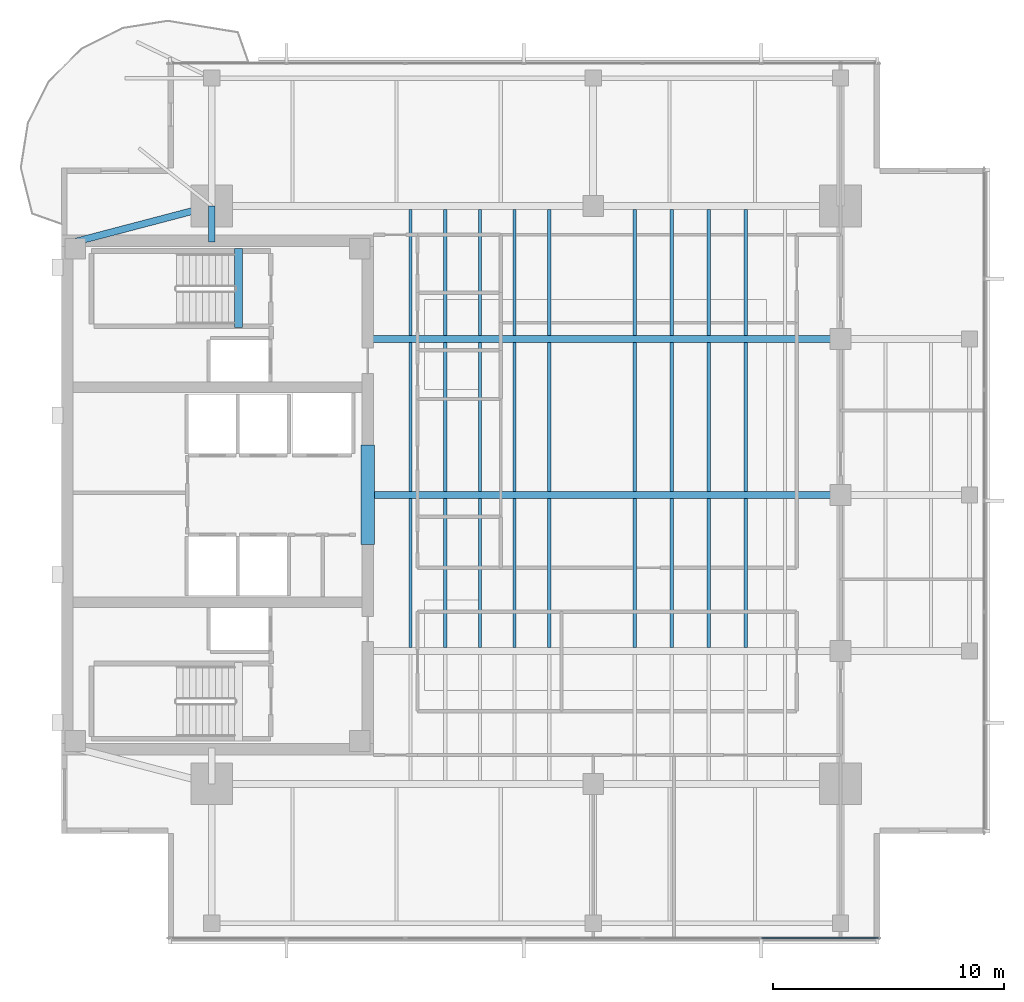
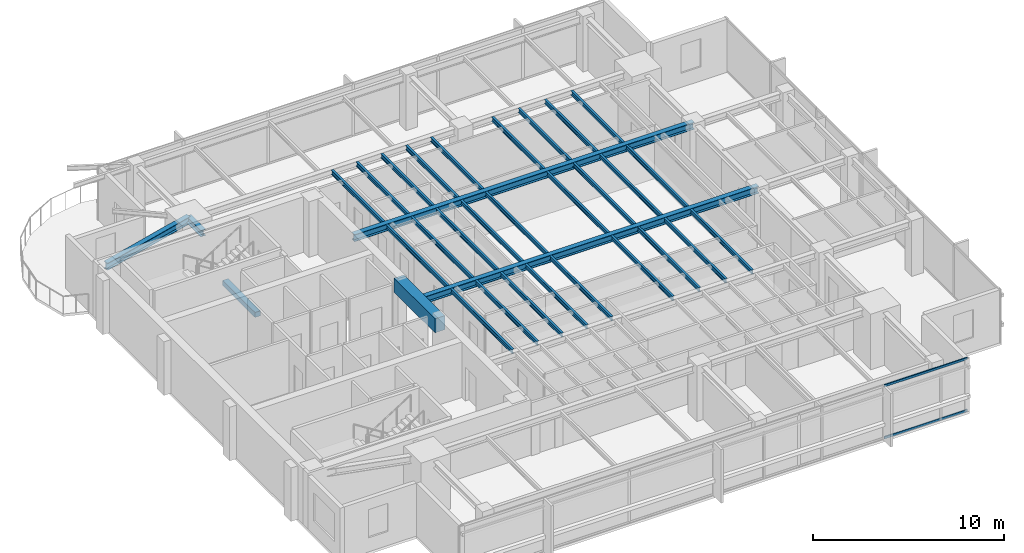
# One storey, part 3 of 14: 33 beams, 2 members, 1 element without a shape of its own.
"""IFC4 building model written with IfcOpenShell, lengths in metres."""

from ifc_helpers import new_model, si_unit, direction, frame, origin, origin_2d, place, context, subcontext, project, spatial, rectangle, i_section, extrude, material, layer, layer_set, material_profile, profile_set, type_object, element, aggregate, save


model = new_model("IFC4")

# Units and contexts
model_context = context("Model", 3, precision=1e-05, world=origin(), true_north=direction((0.0, 1.0)))
body_context = subcontext(model_context, "Body", "Model", "MODEL_VIEW")
ifc_project = project(units=[si_unit("LENGTHUNIT", "METRE"), si_unit("AREAUNIT", "SQUARE_METRE"), si_unit("VOLUMEUNIT", "CUBIC_METRE"), si_unit("PLANEANGLEUNIT", "RADIAN"), si_unit("MASSUNIT", "GRAM", prefix="KILO")], contexts=[model_context])

# Site, building, storey
site_placement = place(None, origin())
site = spatial("IfcSite", under=ifc_project, at=site_placement, CompositionType="ELEMENT")
building_placement = place(site_placement, origin())
building = spatial("IfcBuilding", under=site, at=building_placement, Name="Kinhvarn Gate Tower", CompositionType="ELEMENT")
storey_placement = place(building_placement, frame((0.0, 0.0, 270.550048828125)))
storey = spatial("IfcBuildingStorey", under=building, at=storey_placement, Name="L72", CompositionType="ELEMENT", Elevation=270.550048828125)

# Beams
ifc_material_1 = material(Name="Concrete C60/75", Category="concrete")
ifc_material_profile_1 = material_profile(ifc_material_1, rectangle(XDim=0.60009765625, YDim=0.89990234375, at=origin_2d()), Name="RC 600x900")
ifc_profile_set_1 = profile_set([ifc_material_profile_1], Name="Concrete C60/75")
beam_type_1 = type_object("IfcBeamType", Name="BM-CB-900", PredefinedType="LINTEL", material=ifc_profile_set_1)
beam_1_placement = place(storey_placement, frame((17.75, 23.10009765625, 2.93994140625), z_axis=(0.0, 1.0, 0.0), x_axis=(-1.0, 0.0, 0.0)))
element("IfcBeam", 1, at=beam_1_placement, inside=storey, type_object=beam_type_1, Name="Core East Portal Coupling Beam L72", PredefinedType="LINTEL", context=body_context, shape_type="SweptSolid", body=[
    extrude(rectangle(XDim=0.60009765625, YDim=0.89990234375, at=origin_2d()), origin(), (0.0, 0.0, 1.0), 4.2998046875),
])
ifc_material_2 = material(Name="Concrete C50/60", Category="concrete")
ifc_material_profile_2 = material_profile(ifc_material_2, rectangle(XDim=0.340087890625, YDim=0.320068359375, at=origin_2d()), Name="RC 340x320")
ifc_profile_set_2 = profile_set([ifc_material_profile_2], Name="Concrete C50/60")
beam_type_2 = type_object("IfcBeamType", Name="BM-LND-500", PredefinedType="BEAM", material=ifc_profile_set_2)
beam_2_placement = place(storey_placement, frame((12.1650390625, 32.5, -0.16015625), z_axis=(0.0, 1.0, 0.0), x_axis=(-1.0, 0.0, 0.0)))
element("IfcBeam", 2, at=beam_2_placement, inside=storey, type_object=beam_type_2, Name="Stair ST2 Landing Nosing Beam (L72)", PredefinedType="BEAM", context=body_context, shape_type="SweptSolid", body=[
    extrude(rectangle(XDim=0.340087890625, YDim=0.320068359375, at=origin_2d()), origin(), (0.0, 0.0, 1.0), 3.39990234375),
])

# Curtain wall, members
ifc_material_3 = material(Name="Anodised aluminium AW-6063", Category="aluminium")
ifc_layer = layer(ifc_material_3, 0.179931640625)
ifc_layer_set = layer_set([ifc_layer], Name="Anodised aluminium AW-6063")
curtain_wall_type = type_object("IfcCurtainWallType", Name="CW-SYS-3", PredefinedType="NOTDEFINED", material=ifc_layer_set)
curtain_wall_placement = place(storey_placement, origin())
curtain_wall = element("IfcCurtainWall", 3, at=curtain_wall_placement, inside=storey, type_object=curtain_wall_type, Name="Curtain Wall CW3 (L72)", PredefinedType="NOTDEFINED")
ifc_material_profile_3 = material_profile(ifc_material_3, rectangle(XDim=0.070068359375, YDim=0.139892578125, at=origin_2d()), Name="ALU 70x140")
ifc_profile_set_3 = profile_set([ifc_material_profile_3], Name="Anodised aluminium AW-6063")
member_type = type_object("IfcMemberType", Name="CW-TRN-140", PredefinedType="USERDEFINED", material=ifc_profile_set_3)
member_1_placement = place(storey_placement, frame((34.799072265625, 6.090087890625, 0.034912109375), z_axis=(1.0, 0.0, 0.0), x_axis=(0.0, 1.0, 0.0)))
member_1 = element("IfcMember", 4, at=member_1_placement, type_object=member_type, Name="CW3 transom 6.1", ObjectType="TRANSOM", PredefinedType="USERDEFINED", context=body_context, shape_type="SweptSolid", body=[
    extrude(rectangle(XDim=0.070068359375, YDim=0.139892578125, at=origin_2d()), origin(), (0.0, 0.0, 1.0), 5.035888671875),
])
member_2_placement = place(storey_placement, frame((34.799072265625, 6.090087890625, 3.35498046875), z_axis=(1.0, 0.0, 0.0), x_axis=(0.0, 1.0, 0.0)))
member_2 = element("IfcMember", 5, at=member_2_placement, type_object=member_type, Name="CW3 transom 6.2", ObjectType="TRANSOM", PredefinedType="USERDEFINED", context=body_context, shape_type="SweptSolid", body=[
    extrude(rectangle(XDim=0.070068359375, YDim=0.139892578125, at=origin_2d()), origin(), (0.0, 0.0, 1.0), 5.035888671875),
])
aggregate(curtain_wall, [member_1, member_2])

# Beams
ifc_material_4 = material(Name="Steel S355", Category="steel")
ifc_material_profile_4 = material_profile(ifc_material_4, i_section(OverallWidth=0.300048828125, OverallDepth=0.39990234375, WebThickness=0.013427734375, FlangeThickness=0.02392578125, at=origin_2d()), Name="HEB 400")
ifc_profile_set_4 = profile_set([ifc_material_profile_4], Name="Steel S355")
beam_type_3 = type_object("IfcBeamType", Name="STL-HEB400", PredefinedType="BEAM", material=ifc_profile_set_4)
beam_3_placement = place(storey_placement, frame((11.0, 36.199951171875, 3.18994140625), z_axis=(0.0, 1.0, 0.0), x_axis=(-1.0, 0.0, 0.0)))
element("IfcBeam", 6, at=beam_3_placement, inside=storey, type_object=beam_type_3, Name="Floor Beam PG-12 (L72 MCW-CN)", PredefinedType="BEAM", context=body_context, shape_type="SweptSolid", body=[
    extrude(i_section(OverallWidth=0.300048828125, OverallDepth=0.39990234375, WebThickness=0.013427734375, FlangeThickness=0.02392578125, at=origin_2d()), origin(), (0.0, 0.0, 1.0), 1.550048828125),
])
ifc_material_profile_5 = material_profile(ifc_material_4, i_section(OverallWidth=0.300048828125, OverallDepth=0.449951171875, WebThickness=0.013916015625, FlangeThickness=0.02587890625, at=origin_2d()), Name="HEB 450")
ifc_profile_set_5 = profile_set([ifc_material_profile_5], Name="Steel S355")
beam_type_4 = type_object("IfcBeamType", Name="STL-HEB450", PredefinedType="BEAM", material=ifc_profile_set_5)
beam_4_placement = place(storey_placement, frame((5.10009765625, 36.199951171875, 3.1650390625), z_axis=(0.967177623957, 0.254101246979, 0.0), x_axis=(-0.254101246979, 0.967177623957, 0.0)))
element("IfcBeam", 7, at=beam_4_placement, inside=storey, type_object=beam_type_4, Name="Floor Beam PG-13 (L72 MG-NW-DIAG)", PredefinedType="BEAM", context=body_context, shape_type="SweptSolid", body=[
    extrude(i_section(OverallWidth=0.300048828125, OverallDepth=0.449951171875, WebThickness=0.013916015625, FlangeThickness=0.02587890625, at=origin_2d()), origin(), (0.0, 0.0, 1.0), 6.10009765625),
])
beam_5_placement = place(storey_placement, frame((18.050048828125, 25.25, 3.1650390625), z_axis=(1.0, 0.0, 0.0), x_axis=(0.0, 1.0, 0.0)))
element("IfcBeam", 8, at=beam_5_placement, inside=storey, type_object=beam_type_4, Name="Floor Beam PG-13 (L72 EW1-Y25)", PredefinedType="BEAM", context=body_context, shape_type="SweptSolid", body=[
    extrude(i_section(OverallWidth=0.300048828125, OverallDepth=0.449951171875, WebThickness=0.013916015625, FlangeThickness=0.02587890625, at=origin_2d()), origin(), (0.0, 0.0, 1.0), 20.14990234375),
])
beam_6_placement = place(storey_placement, frame((17.64990234375, 32.0, 3.1650390625), z_axis=(1.0, 0.0, 0.0), x_axis=(0.0, 1.0, 0.0)))
element("IfcBeam", 9, at=beam_6_placement, inside=storey, type_object=beam_type_4, Name="Floor Beam PG-13 (L72 EW1-Y32)", PredefinedType="BEAM", context=body_context, shape_type="SweptSolid", body=[
    extrude(i_section(OverallWidth=0.300048828125, OverallDepth=0.449951171875, WebThickness=0.013916015625, FlangeThickness=0.02587890625, at=origin_2d()), origin(), (0.0, 0.0, 1.0), 20.550048828125),
])
ifc_material_profile_6 = material_profile(ifc_material_4, i_section(OverallWidth=0.135009765625, OverallDepth=0.27001953125, WebThickness=0.006591796875, FlangeThickness=0.01025390625, at=origin_2d()), Name="IPE 270")
ifc_profile_set_6 = profile_set([ifc_material_profile_6], Name="Steel S355")
beam_type_5 = type_object("IfcBeamType", Name="STL-IPE270", PredefinedType="JOIST", material=ifc_profile_set_6)
for number, where, z_axis, x_axis, name in (
    (10, (19.60009765625, 18.64990234375, 3.2548828125), (0.0, 1.0, 0.0), (-1.0, 0.0, 0.0), "Floor Joist SB-01 (L72 JC-X196-1)"),
    (11, (19.60009765625, 25.39990234375, 3.2548828125), (0.0, 1.0, 0.0), (-1.0, 0.0, 0.0), "Floor Joist SB-01 (L72 JC-X196-2)"),
):
    element("IfcBeam", number, at=place(storey_placement, frame(where, z_axis=z_axis, x_axis=x_axis)), inside=storey, type_object=beam_type_5, Name=name, PredefinedType="JOIST", context=body_context, shape_type="SweptSolid", body=[
        extrude(i_section(OverallWidth=0.135009765625, OverallDepth=0.27001953125, WebThickness=0.006591796875, FlangeThickness=0.01025390625, at=origin_2d()), origin(), (0.0, 0.0, 1.0), 6.4501953125),
    ])
beam_7_placement = place(storey_placement, frame((19.60009765625, 32.14990234375, 3.2548828125), z_axis=(0.0, 1.0, 0.0), x_axis=(-1.0, 0.0, 0.0)))
element("IfcBeam", 12, at=beam_7_placement, inside=storey, type_object=beam_type_5, Name="Floor Joist SB-01 (L72 JC-X196-3)", PredefinedType="JOIST", context=body_context, shape_type="SweptSolid", body=[
    extrude(i_section(OverallWidth=0.135009765625, OverallDepth=0.27001953125, WebThickness=0.006591796875, FlangeThickness=0.01025390625, at=origin_2d()), origin(), (0.0, 0.0, 1.0), 5.4501953125),
])
for number, where, z_axis, x_axis, name in (
    (13, (21.10009765625, 18.64990234375, 3.2548828125), (0.0, 1.0, 0.0), (-1.0, 0.0, 0.0), "Floor Joist SB-01 (L72 JC-X211-1)"),
    (14, (21.10009765625, 25.39990234375, 3.2548828125), (0.0, 1.0, 0.0), (-1.0, 0.0, 0.0), "Floor Joist SB-01 (L72 JC-X211-2)"),
):
    element("IfcBeam", number, at=place(storey_placement, frame(where, z_axis=z_axis, x_axis=x_axis)), inside=storey, type_object=beam_type_5, Name=name, PredefinedType="JOIST", context=body_context, shape_type="SweptSolid", body=[
        extrude(i_section(OverallWidth=0.135009765625, OverallDepth=0.27001953125, WebThickness=0.006591796875, FlangeThickness=0.01025390625, at=origin_2d()), origin(), (0.0, 0.0, 1.0), 6.4501953125),
    ])
beam_8_placement = place(storey_placement, frame((21.10009765625, 32.14990234375, 3.2548828125), z_axis=(0.0, 1.0, 0.0), x_axis=(-1.0, 0.0, 0.0)))
element("IfcBeam", 15, at=beam_8_placement, inside=storey, type_object=beam_type_5, Name="Floor Joist SB-01 (L72 JC-X211-3)", PredefinedType="JOIST", context=body_context, shape_type="SweptSolid", body=[
    extrude(i_section(OverallWidth=0.135009765625, OverallDepth=0.27001953125, WebThickness=0.006591796875, FlangeThickness=0.01025390625, at=origin_2d()), origin(), (0.0, 0.0, 1.0), 5.4501953125),
])
for number, where, z_axis, x_axis, name in (
    (16, (22.60009765625, 18.64990234375, 3.2548828125), (0.0, 1.0, 0.0), (-1.0, 0.0, 0.0), "Floor Joist SB-01 (L72 JC-X226-1)"),
    (17, (22.60009765625, 25.39990234375, 3.2548828125), (0.0, 1.0, 0.0), (-1.0, 0.0, 0.0), "Floor Joist SB-01 (L72 JC-X226-2)"),
):
    element("IfcBeam", number, at=place(storey_placement, frame(where, z_axis=z_axis, x_axis=x_axis)), inside=storey, type_object=beam_type_5, Name=name, PredefinedType="JOIST", context=body_context, shape_type="SweptSolid", body=[
        extrude(i_section(OverallWidth=0.135009765625, OverallDepth=0.27001953125, WebThickness=0.006591796875, FlangeThickness=0.01025390625, at=origin_2d()), origin(), (0.0, 0.0, 1.0), 6.4501953125),
    ])
beam_9_placement = place(storey_placement, frame((22.60009765625, 32.14990234375, 3.2548828125), z_axis=(0.0, 1.0, 0.0), x_axis=(-1.0, 0.0, 0.0)))
element("IfcBeam", 18, at=beam_9_placement, inside=storey, type_object=beam_type_5, Name="Floor Joist SB-01 (L72 JC-X226-3)", PredefinedType="JOIST", context=body_context, shape_type="SweptSolid", body=[
    extrude(i_section(OverallWidth=0.135009765625, OverallDepth=0.27001953125, WebThickness=0.006591796875, FlangeThickness=0.01025390625, at=origin_2d()), origin(), (0.0, 0.0, 1.0), 5.4501953125),
])
for number, where, z_axis, x_axis, name in (
    (19, (24.10009765625, 18.64990234375, 3.2548828125), (0.0, 1.0, 0.0), (-1.0, 0.0, 0.0), "Floor Joist SB-01 (L72 JC-X241-1)"),
    (20, (24.10009765625, 25.39990234375, 3.2548828125), (0.0, 1.0, 0.0), (-1.0, 0.0, 0.0), "Floor Joist SB-01 (L72 JC-X241-2)"),
):
    element("IfcBeam", number, at=place(storey_placement, frame(where, z_axis=z_axis, x_axis=x_axis)), inside=storey, type_object=beam_type_5, Name=name, PredefinedType="JOIST", context=body_context, shape_type="SweptSolid", body=[
        extrude(i_section(OverallWidth=0.135009765625, OverallDepth=0.27001953125, WebThickness=0.006591796875, FlangeThickness=0.01025390625, at=origin_2d()), origin(), (0.0, 0.0, 1.0), 6.4501953125),
    ])
beam_10_placement = place(storey_placement, frame((24.10009765625, 32.14990234375, 3.2548828125), z_axis=(0.0, 1.0, 0.0), x_axis=(-1.0, 0.0, 0.0)))
element("IfcBeam", 21, at=beam_10_placement, inside=storey, type_object=beam_type_5, Name="Floor Joist SB-01 (L72 JC-X241-3)", PredefinedType="JOIST", context=body_context, shape_type="SweptSolid", body=[
    extrude(i_section(OverallWidth=0.135009765625, OverallDepth=0.27001953125, WebThickness=0.006591796875, FlangeThickness=0.01025390625, at=origin_2d()), origin(), (0.0, 0.0, 1.0), 5.4501953125),
])
for number, where, z_axis, x_axis, name in (
    (22, (25.60009765625, 18.64990234375, 3.2548828125), (0.0, 1.0, 0.0), (-1.0, 0.0, 0.0), "Floor Joist SB-01 (L72 JC-X256-1)"),
    (23, (25.60009765625, 25.39990234375, 3.2548828125), (0.0, 1.0, 0.0), (-1.0, 0.0, 0.0), "Floor Joist SB-01 (L72 JC-X256-2)"),
):
    element("IfcBeam", number, at=place(storey_placement, frame(where, z_axis=z_axis, x_axis=x_axis)), inside=storey, type_object=beam_type_5, Name=name, PredefinedType="JOIST", context=body_context, shape_type="SweptSolid", body=[
        extrude(i_section(OverallWidth=0.135009765625, OverallDepth=0.27001953125, WebThickness=0.006591796875, FlangeThickness=0.01025390625, at=origin_2d()), origin(), (0.0, 0.0, 1.0), 6.4501953125),
    ])
beam_11_placement = place(storey_placement, frame((25.60009765625, 32.14990234375, 3.2548828125), z_axis=(0.0, 1.0, 0.0), x_axis=(-1.0, 0.0, 0.0)))
element("IfcBeam", 24, at=beam_11_placement, inside=storey, type_object=beam_type_5, Name="Floor Joist SB-01 (L72 JC-X256-3)", PredefinedType="JOIST", context=body_context, shape_type="SweptSolid", body=[
    extrude(i_section(OverallWidth=0.135009765625, OverallDepth=0.27001953125, WebThickness=0.006591796875, FlangeThickness=0.01025390625, at=origin_2d()), origin(), (0.0, 0.0, 1.0), 5.4501953125),
])
for number, where, z_axis, x_axis, name in (
    (25, (29.300048828125, 18.64990234375, 3.2548828125), (0.0, 1.0, 0.0), (-1.0, 0.0, 0.0), "Floor Joist SB-01 (L72 JC-X293-1)"),
    (26, (29.300048828125, 25.39990234375, 3.2548828125), (0.0, 1.0, 0.0), (-1.0, 0.0, 0.0), "Floor Joist SB-01 (L72 JC-X293-2)"),
):
    element("IfcBeam", number, at=place(storey_placement, frame(where, z_axis=z_axis, x_axis=x_axis)), inside=storey, type_object=beam_type_5, Name=name, PredefinedType="JOIST", context=body_context, shape_type="SweptSolid", body=[
        extrude(i_section(OverallWidth=0.135009765625, OverallDepth=0.27001953125, WebThickness=0.006591796875, FlangeThickness=0.01025390625, at=origin_2d()), origin(), (0.0, 0.0, 1.0), 6.4501953125),
    ])
beam_12_placement = place(storey_placement, frame((29.300048828125, 32.14990234375, 3.2548828125), z_axis=(0.0, 1.0, 0.0), x_axis=(-1.0, 0.0, 0.0)))
element("IfcBeam", 27, at=beam_12_placement, inside=storey, type_object=beam_type_5, Name="Floor Joist SB-01 (L72 JC-X293-3)", PredefinedType="JOIST", context=body_context, shape_type="SweptSolid", body=[
    extrude(i_section(OverallWidth=0.135009765625, OverallDepth=0.27001953125, WebThickness=0.006591796875, FlangeThickness=0.01025390625, at=origin_2d()), origin(), (0.0, 0.0, 1.0), 5.4501953125),
])
for number, where, z_axis, x_axis, name in (
    (28, (30.89990234375, 18.64990234375, 3.2548828125), (0.0, 1.0, 0.0), (-1.0, 0.0, 0.0), "Floor Joist SB-01 (L72 JC-X309-1)"),
    (29, (30.89990234375, 25.39990234375, 3.2548828125), (0.0, 1.0, 0.0), (-1.0, 0.0, 0.0), "Floor Joist SB-01 (L72 JC-X309-2)"),
):
    element("IfcBeam", number, at=place(storey_placement, frame(where, z_axis=z_axis, x_axis=x_axis)), inside=storey, type_object=beam_type_5, Name=name, PredefinedType="JOIST", context=body_context, shape_type="SweptSolid", body=[
        extrude(i_section(OverallWidth=0.135009765625, OverallDepth=0.27001953125, WebThickness=0.006591796875, FlangeThickness=0.01025390625, at=origin_2d()), origin(), (0.0, 0.0, 1.0), 6.4501953125),
    ])
beam_13_placement = place(storey_placement, frame((30.89990234375, 32.14990234375, 3.2548828125), z_axis=(0.0, 1.0, 0.0), x_axis=(-1.0, 0.0, 0.0)))
element("IfcBeam", 30, at=beam_13_placement, inside=storey, type_object=beam_type_5, Name="Floor Joist SB-01 (L72 JC-X309-3)", PredefinedType="JOIST", context=body_context, shape_type="SweptSolid", body=[
    extrude(i_section(OverallWidth=0.135009765625, OverallDepth=0.27001953125, WebThickness=0.006591796875, FlangeThickness=0.01025390625, at=origin_2d()), origin(), (0.0, 0.0, 1.0), 5.4501953125),
])
for number, where, z_axis, x_axis, name in (
    (31, (32.5, 18.64990234375, 3.2548828125), (0.0, 1.0, 0.0), (-1.0, 0.0, 0.0), "Floor Joist SB-01 (L72 JC-X325-1)"),
    (32, (32.5, 25.39990234375, 3.2548828125), (0.0, 1.0, 0.0), (-1.0, 0.0, 0.0), "Floor Joist SB-01 (L72 JC-X325-2)"),
):
    element("IfcBeam", number, at=place(storey_placement, frame(where, z_axis=z_axis, x_axis=x_axis)), inside=storey, type_object=beam_type_5, Name=name, PredefinedType="JOIST", context=body_context, shape_type="SweptSolid", body=[
        extrude(i_section(OverallWidth=0.135009765625, OverallDepth=0.27001953125, WebThickness=0.006591796875, FlangeThickness=0.01025390625, at=origin_2d()), origin(), (0.0, 0.0, 1.0), 6.4501953125),
    ])
beam_14_placement = place(storey_placement, frame((32.5, 32.14990234375, 3.2548828125), z_axis=(0.0, 1.0, 0.0), x_axis=(-1.0, 0.0, 0.0)))
element("IfcBeam", 33, at=beam_14_placement, inside=storey, type_object=beam_type_5, Name="Floor Joist SB-01 (L72 JC-X325-3)", PredefinedType="JOIST", context=body_context, shape_type="SweptSolid", body=[
    extrude(i_section(OverallWidth=0.135009765625, OverallDepth=0.27001953125, WebThickness=0.006591796875, FlangeThickness=0.01025390625, at=origin_2d()), origin(), (0.0, 0.0, 1.0), 5.4501953125),
])
for number, where, z_axis, x_axis, name in (
    (34, (34.10009765625, 18.64990234375, 3.2548828125), (0.0, 1.0, 0.0), (-1.0, 0.0, 0.0), "Floor Joist SB-01 (L72 JC-X341-1)"),
    (35, (34.10009765625, 25.39990234375, 3.2548828125), (0.0, 1.0, 0.0), (-1.0, 0.0, 0.0), "Floor Joist SB-01 (L72 JC-X341-2)"),
):
    element("IfcBeam", number, at=place(storey_placement, frame(where, z_axis=z_axis, x_axis=x_axis)), inside=storey, type_object=beam_type_5, Name=name, PredefinedType="JOIST", context=body_context, shape_type="SweptSolid", body=[
        extrude(i_section(OverallWidth=0.135009765625, OverallDepth=0.27001953125, WebThickness=0.006591796875, FlangeThickness=0.01025390625, at=origin_2d()), origin(), (0.0, 0.0, 1.0), 6.4501953125),
    ])
beam_15_placement = place(storey_placement, frame((34.10009765625, 32.14990234375, 3.2548828125), z_axis=(0.0, 1.0, 0.0), x_axis=(-1.0, 0.0, 0.0)))
element("IfcBeam", 36, at=beam_15_placement, inside=storey, type_object=beam_type_5, Name="Floor Joist SB-01 (L72 JC-X341-3)", PredefinedType="JOIST", context=body_context, shape_type="SweptSolid", body=[
    extrude(i_section(OverallWidth=0.135009765625, OverallDepth=0.27001953125, WebThickness=0.006591796875, FlangeThickness=0.01025390625, at=origin_2d()), origin(), (0.0, 0.0, 1.0), 5.4501953125),
])

save(model, "model.ifc")
